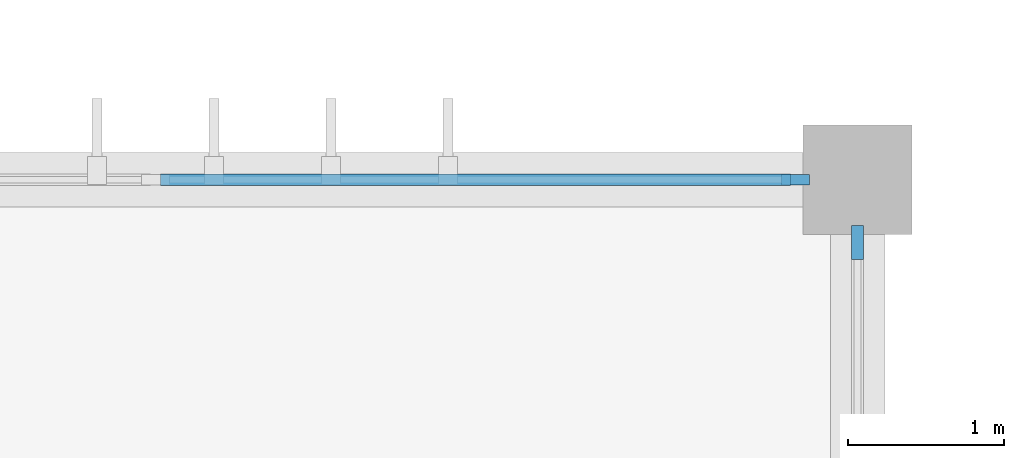
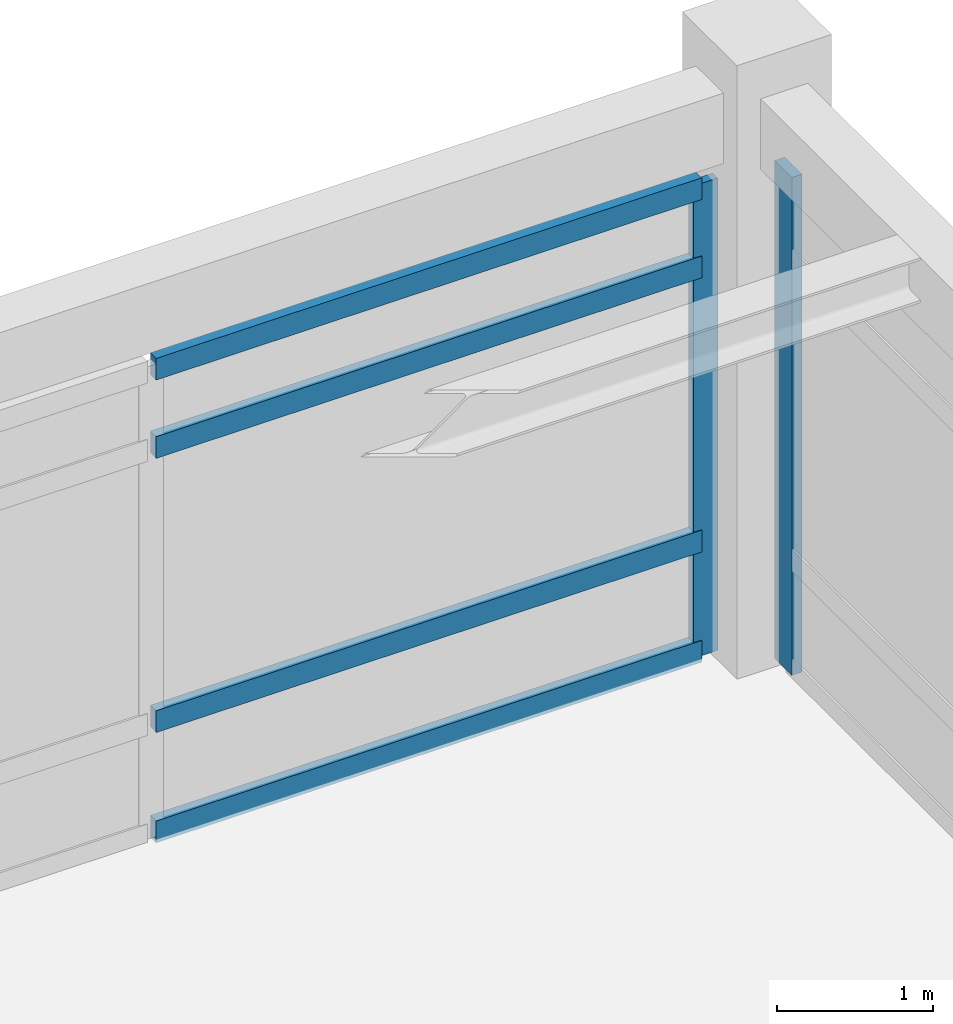
# One storey, part 14 of 61: 6 members, 2 elements without a shape of their own.
"""IFC4 building model written with IfcOpenShell, lengths in metres."""

from ifc_helpers import new_model, si_unit, direction, frame, origin, origin_2d, place, context, subcontext, project, spatial, rectangle, extrude, material, material_profile, profile_set, type_object, element, aggregate, save


model = new_model("IFC4")

# Units and contexts
model_context = context("Model", 3, precision=1e-05, world=origin(), true_north=direction((0.0, 1.0)))
body_context = subcontext(model_context, "Body", "Model", "MODEL_VIEW")
ifc_project = project(units=[si_unit("LENGTHUNIT", "METRE"), si_unit("AREAUNIT", "SQUARE_METRE"), si_unit("VOLUMEUNIT", "CUBIC_METRE"), si_unit("PLANEANGLEUNIT", "RADIAN"), si_unit("MASSUNIT", "GRAM", prefix="KILO")], contexts=[model_context])

# Site, building, storey
site_placement = place(None, origin())
site = spatial("IfcSite", under=ifc_project, at=site_placement, CompositionType="ELEMENT")
building_placement = place(site_placement, origin())
building = spatial("IfcBuilding", under=site, at=building_placement, Name="Bozkorgan Art Gallery", CompositionType="ELEMENT")
storey_placement = place(building_placement, frame((0.0, 0.0, 10.199951171875)))
storey = spatial("IfcBuildingStorey", under=building, at=storey_placement, Name="L02", CompositionType="ELEMENT", Elevation=10.199951171875)

# Curtain wall, member
ifc_material = material(Name="Anodised Bronze Aluminium", Category="aluminium")
curtain_wall_type_1 = type_object("IfcCurtainWallType", Name="CW-CW-61", PredefinedType="NOTDEFINED", material=ifc_material)
curtain_wall_1_placement = place(storey_placement, origin())
curtain_wall_1 = element("IfcCurtainWall", 1, at=curtain_wall_1_placement, inside=storey, type_object=curtain_wall_type_1, Name="L02 unitised curtain wall CW-V1-L02-1N-14", PredefinedType="NOTDEFINED")
ifc_material_profile_1 = material_profile(ifc_material, rectangle(XDim=0.06494140625, YDim=0.179931640625, at=origin_2d()), Name="ALU MULLION 65x180")
ifc_profile_set_1 = profile_set([ifc_material_profile_1], Name="Anodised Bronze Aluminium")
member_type_1 = type_object("IfcMemberType", Name="CWM-01", PredefinedType="MULLION", material=ifc_profile_set_1)
member_1_placement = place(storey_placement, frame((64.6025390625, 20.0, 0.02001953125), z_axis=(0.0, 0.0, 1.0), x_axis=(0.0, 1.0, 0.0)))
member_1 = element("IfcMember", 2, at=member_1_placement, type_object=member_type_1, Name="CW-61 mullion 3", PredefinedType="MULLION", context=body_context, shape_type="SweptSolid", body=[
    extrude(rectangle(XDim=0.06494140625, YDim=0.179931640625, at=origin_2d()), origin(), (0.0, 0.0, 1.0), 3.695068359375),
])

curtain_wall_type_2 = type_object("IfcCurtainWallType", Name="CW-CW-11", PredefinedType="NOTDEFINED", material=ifc_material)
curtain_wall_2_placement = place(storey_placement, origin())
curtain_wall_2 = element("IfcCurtainWall", 3, at=curtain_wall_2_placement, inside=storey, type_object=curtain_wall_type_2, Name="L02 unitised curtain wall CW-V1-L02-1E-18", PredefinedType="NOTDEFINED")
ifc_material_profile_2 = material_profile(ifc_material, rectangle(XDim=0.074951171875, YDim=0.219970703125, at=origin_2d()), Name="ALU MULLION 75x220")
ifc_profile_set_2 = profile_set([ifc_material_profile_2], Name="Anodised Bronze Aluminium")
member_type_2 = type_object("IfcMemberType", Name="CWM-02", PredefinedType="MULLION", material=ifc_profile_set_2)
member_2_placement = place(storey_placement, frame((65.0, 19.597412109375, 0.02001953125), z_axis=(0.0, 0.0, 1.0), x_axis=(-1.0, 0.0, 0.0)))
member_2 = element("IfcMember", 4, at=member_2_placement, type_object=member_type_2, Name="CW-11 mullion 3", PredefinedType="MULLION", context=body_context, shape_type="SweptSolid", body=[
    extrude(rectangle(XDim=0.074951171875, YDim=0.219970703125, at=origin_2d()), origin(), (0.0, 0.0, 1.0), 3.89501953125),
])
aggregate(curtain_wall_2, [member_2])

# Member
ifc_material_profile_3 = material_profile(ifc_material, rectangle(XDim=0.074951171875, YDim=0.169921875, at=origin_2d()), Name="ALU TRANSOM 75x170")
ifc_profile_set_3 = profile_set([ifc_material_profile_3], Name="Anodised Bronze Aluminium")
member_type_3 = type_object("IfcMemberType", Name="CWT-02", PredefinedType="USERDEFINED", material=ifc_profile_set_3)
member_3_placement = place(storey_placement, frame((60.532470703125, 20.0, 0.0576171875), z_axis=(1.0, 0.0, 0.0), x_axis=(0.0, 1.0, 0.0)))
member_3 = element("IfcMember", 5, at=member_3_placement, type_object=member_type_3, Name="CW-61 transom 2.1", ObjectType="TRANSOM", PredefinedType="USERDEFINED", context=body_context, shape_type="SweptSolid", body=[
    extrude(rectangle(XDim=0.074951171875, YDim=0.169921875, at=origin_2d()), origin(), (0.0, 0.0, 1.0), 4.03759765625),
])

member_4_placement = place(storey_placement, frame((60.532470703125, 20.0, 0.920166015625), z_axis=(1.0, 0.0, 0.0), x_axis=(0.0, 1.0, 0.0)))
member_4 = element("IfcMember", 6, at=member_4_placement, type_object=member_type_3, Name="CW-61 transom 2.2", ObjectType="TRANSOM", PredefinedType="USERDEFINED", context=body_context, shape_type="SweptSolid", body=[
    extrude(rectangle(XDim=0.074951171875, YDim=0.169921875, at=origin_2d()), origin(), (0.0, 0.0, 1.0), 4.03759765625),
])

member_5_placement = place(storey_placement, frame((60.532470703125, 20.0, 3.06494140625), z_axis=(1.0, 0.0, 0.0), x_axis=(0.0, 1.0, 0.0)))
member_5 = element("IfcMember", 7, at=member_5_placement, type_object=member_type_3, Name="CW-61 transom 2.3", ObjectType="TRANSOM", PredefinedType="USERDEFINED", context=body_context, shape_type="SweptSolid", body=[
    extrude(rectangle(XDim=0.074951171875, YDim=0.169921875, at=origin_2d()), origin(), (0.0, 0.0, 1.0), 4.03759765625),
])

member_6_placement = place(storey_placement, frame((60.532470703125, 20.0, 3.677490234375), z_axis=(1.0, 0.0, 0.0), x_axis=(0.0, 1.0, 0.0)))
member_6 = element("IfcMember", 8, at=member_6_placement, type_object=member_type_3, Name="CW-61 transom 2.4", ObjectType="TRANSOM", PredefinedType="USERDEFINED", context=body_context, shape_type="SweptSolid", body=[
    extrude(rectangle(XDim=0.074951171875, YDim=0.169921875, at=origin_2d()), origin(), (0.0, 0.0, 1.0), 4.03759765625),
])

aggregate(curtain_wall_1, [member_1, member_3, member_4, member_5, member_6])

save(model, "model.ifc")
